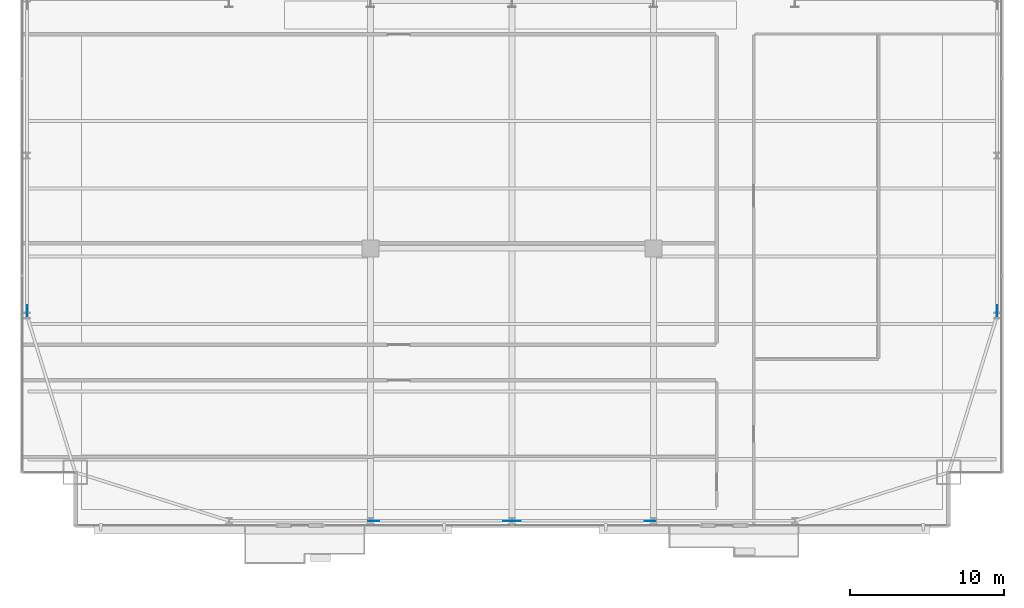
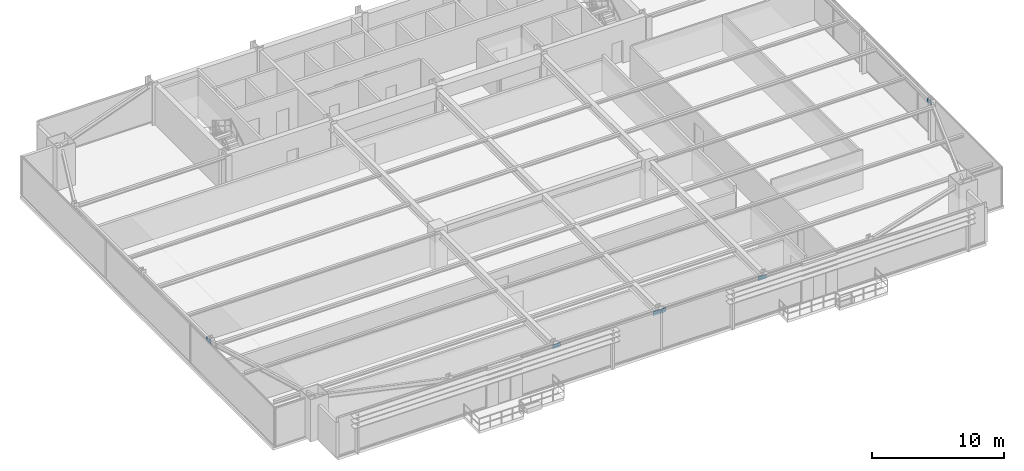
# One storey, part 25 of 31: 6 plates.
"""IFC4 building model written with IfcOpenShell, lengths in metres."""

from ifc_helpers import new_model, si_unit, direction, frame, origin, origin_2d, place, context, subcontext, project, spatial, rectangle, extrude, source, transform, mapped, material, layer, layer_set, type_object, type_shapes, element, save


model = new_model("IFC4")

# Units and contexts
model_context = context("Model", 3, precision=1e-05, world=origin(), true_north=direction((0.0, 1.0)))
body_context = subcontext(model_context, "Body", "Model", "MODEL_VIEW")
ifc_project = project(units=[si_unit("LENGTHUNIT", "METRE"), si_unit("AREAUNIT", "SQUARE_METRE"), si_unit("VOLUMEUNIT", "CUBIC_METRE"), si_unit("PLANEANGLEUNIT", "RADIAN"), si_unit("MASSUNIT", "GRAM", prefix="KILO")], contexts=[model_context])

# Site, building, storey
site_placement = place(None, origin())
site = spatial("IfcSite", under=ifc_project, at=site_placement, CompositionType="ELEMENT")
building_placement = place(site_placement, origin())
building = spatial("IfcBuilding", under=site, at=building_placement, Name="Varnel Quay Broadcast Tower", CompositionType="ELEMENT")
storey_placement = place(building_placement, frame((0.0, 0.0, 39.300048828125)))
storey = spatial("IfcBuildingStorey", under=building, at=storey_placement, Name="L08", CompositionType="ELEMENT", Elevation=39.300048828125)

# Plates
ifc_material = material(Name="Structural Steel CSA G40.21 350WT", Category="steel")
ifc_layer = layer(ifc_material, 0.031982421875, Name="Structural Steel CSA G40.21 350WT")
ifc_layer_set = layer_set([ifc_layer], Name="Structural Steel CSA G40.21 350WT")
plate_type = type_object("IfcPlateType", Name="Plate_EndCap", PredefinedType="USERDEFINED", material=ifc_layer_set)
shared_shape = source(origin(), body_context, "Body", "SweptSolid", [
    extrude(rectangle(XDim=0.719970703125, YDim=0.031982421875, at=origin_2d()), origin(), (0.0, 0.0, 1.0), 0.3798828125),
])
type_shapes(plate_type, [shared_shape])
for number, where, z_axis, x_axis, name in (
    (1, (33.80419921875, 1.64990234375, 3.1142578125), (0.0, 0.0, 1.0), (1.0, 0.0, 0.0), "Zone 1 Mega-Brace S-C1T1 Diag A End Connection Plate P1"),
    (2, (24.99560546875, 1.64990234375, 3.1142578125), (0.0, 0.0, 1.0), (1.0, 0.0, 0.0), "Zone 1 Mega-Brace S-C1T1 Diag B2 End Connection Plate P1"),
    (3, (43.00439453125, 1.64990234375, 3.1142578125), (0.0, 0.0, 1.0), (1.0, 0.0, 0.0), "Zone 1 Mega-Brace S-C2T1 Diag A End Connection Plate P1"),
    (4, (34.19580078125, 1.64990234375, 3.1142578125), (0.0, 0.0, 1.0), (1.0, 0.0, 0.0), "Zone 1 Mega-Brace S-C2T1 Diag B2 End Connection Plate P1"),
    (5, (2.449951171875, 15.304931640625, 3.21337890625), (0.0, 0.0, 1.0), (0.0, 1.0, 0.0), "Zone 1 Mega-Brace W-FT1 Diag B2 End Connection Plate P1"),
    (6, (65.550048828125, 15.304931640625, 3.21337890625), (0.0, 0.0, 1.0), (0.0, 1.0, 0.0), "Zone 1 Mega-Brace E-FT1 Diag B2 End Connection Plate P1"),
):
    element("IfcPlate", number, at=place(storey_placement, frame(where, z_axis=z_axis, x_axis=x_axis)), inside=storey, type_object=plate_type, Name=name, ObjectType="CAP_PLATE", PredefinedType="USERDEFINED", context=body_context, shape_type="MappedRepresentation", body=[
        mapped(shared_shape, transform((0.0, 0.0, 0.0), x_axis=(1.0, 0.0, 0.0), y_axis=(0.0, 1.0, 0.0), z_axis=(0.0, 0.0, 1.0), scale=1.0)),
    ])

save(model, "model.ifc")
